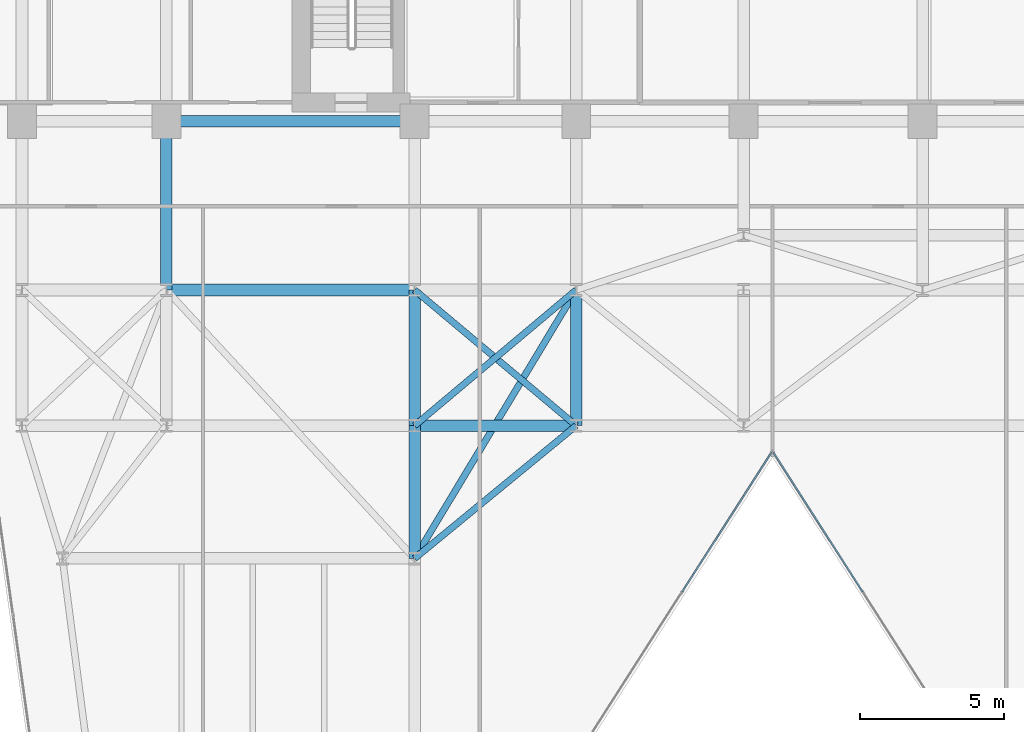
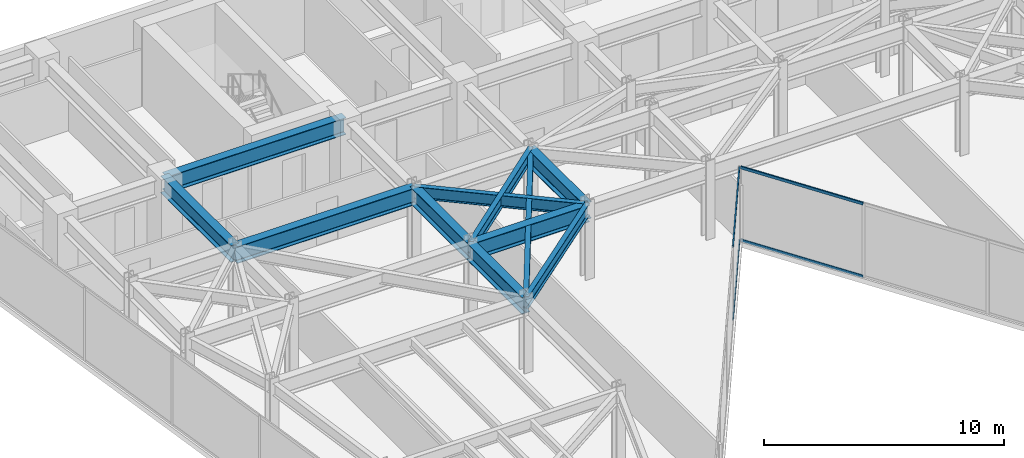
# One storey, part 12 of 26: 11 beams, 4 members, 2 elements without a shape of their own.
"""IFC4 building model written with IfcOpenShell, lengths in metres."""

from ifc_helpers import new_model, si_unit, direction, frame, origin, origin_2d, place, context, subcontext, project, spatial, hollow_rectangle, i_section, extrude, material, layer, layer_set, material_profile, profile_set, type_object, element, aggregate, save


model = new_model("IFC4")

# Units and contexts
model_context = context("Model", 3, precision=1e-05, world=origin(), true_north=direction((0.0, 1.0)))
body_context = subcontext(model_context, "Body", "Model", "MODEL_VIEW")
ifc_project = project(units=[si_unit("LENGTHUNIT", "METRE"), si_unit("AREAUNIT", "SQUARE_METRE"), si_unit("VOLUMEUNIT", "CUBIC_METRE"), si_unit("PLANEANGLEUNIT", "RADIAN"), si_unit("MASSUNIT", "GRAM", prefix="KILO")], contexts=[model_context])

# Site, building, storey
site_placement = place(None, origin())
site = spatial("IfcSite", under=ifc_project, at=site_placement, CompositionType="ELEMENT")
building_placement = place(site_placement, origin())
building = spatial("IfcBuilding", under=site, at=building_placement, Name="Kravanh Interchange Tower", CompositionType="ELEMENT")
storey_placement = place(building_placement, frame((0.0, 0.0, 128.0)))
storey = spatial("IfcBuildingStorey", under=building, at=storey_placement, Name="L30", CompositionType="ELEMENT", Elevation=128.0)

# Curtain wall, members
ifc_material_1 = material(Name="Anodised Bronze Aluminium", Category="aluminium")
ifc_layer = layer(ifc_material_1, 0.179931640625)
ifc_layer_set = layer_set([ifc_layer], Name="Unitised Curtain Wall System CW-Z2 Mid Office")
curtain_wall_type = type_object("IfcCurtainWallType", Name="Unitised Curtain Wall System CW-Z2 Mid Office", PredefinedType="NOTDEFINED", material=ifc_layer_set)
curtain_wall_1_placement = place(storey_placement, origin())
curtain_wall_1 = element("IfcCurtainWall", 1, at=curtain_wall_1_placement, inside=storey, type_object=curtain_wall_type, Name="L30 Unitised Curtain Wall CW-L30-04", PredefinedType="NOTDEFINED")
ifc_material_2 = material(Name="Anodised Bronze Aluminium", Category="aluminium")
ifc_material_profile_1 = material_profile(ifc_material_2, hollow_rectangle(XDim=0.06005859375, YDim=0.139892578125, WallThickness=0.00390625, at=origin_2d()), Name="ALU60X140X4")
ifc_profile_set_1 = profile_set([ifc_material_profile_1], Name="Anodised Bronze Aluminium")
member_type = type_object("IfcMemberType", Name="Curtain Wall Transom ALU60X140X4 Bronze", PredefinedType="USERDEFINED", material=ifc_profile_set_1)
member_1_placement = place(storey_placement, frame((42.72509765625, 21.047119140625, 0.030029296875), z_axis=(-0.53966766312, 0.841878146398, 0.0), x_axis=(-0.841878146398, -0.53966766312, 0.0)))
member_1 = element("IfcMember", 2, at=member_1_placement, type_object=member_type, Name="CW-Z2 transom 4.1", ObjectType="TRANSOM", PredefinedType="USERDEFINED", context=body_context, shape_type="SweptSolid", body=[
    extrude(hollow_rectangle(XDim=0.06005859375, YDim=0.139892578125, WallThickness=0.00390625, at=origin_2d()), origin(), (0.0, 0.0, 1.0), 5.73095703125),
])
member_2_placement = place(storey_placement, frame((42.72509765625, 21.047119140625, 3.719970703125), z_axis=(-0.53966766312, 0.841878146398, 0.0), x_axis=(-0.841878146398, -0.53966766312, 0.0)))
member_2 = element("IfcMember", 3, at=member_2_placement, type_object=member_type, Name="CW-Z2 transom 4.2", ObjectType="TRANSOM", PredefinedType="USERDEFINED", context=body_context, shape_type="SweptSolid", body=[
    extrude(hollow_rectangle(XDim=0.06005859375, YDim=0.139892578125, WallThickness=0.00390625, at=origin_2d()), origin(), (0.0, 0.0, 1.0), 5.73095703125),
])
aggregate(curtain_wall_1, [member_1, member_2])

curtain_wall_2_placement = place(storey_placement, origin())
curtain_wall_2 = element("IfcCurtainWall", 4, at=curtain_wall_2_placement, inside=storey, type_object=curtain_wall_type, Name="L30 Unitised Curtain Wall CW-L30-05", PredefinedType="NOTDEFINED")
member_3_placement = place(storey_placement, frame((39.567626953125, 25.871826171875, 0.030029296875), z_axis=(-0.53966766312, -0.841878146398, 0.0), x_axis=(0.841878146398, -0.53966766312, 0.0)))
member_3 = element("IfcMember", 5, at=member_3_placement, type_object=member_type, Name="CW-Z2 transom 1.1", ObjectType="TRANSOM", PredefinedType="USERDEFINED", context=body_context, shape_type="SweptSolid", body=[
    extrude(hollow_rectangle(XDim=0.06005859375, YDim=0.139892578125, WallThickness=0.00390625, at=origin_2d()), origin(), (0.0, 0.0, 1.0), 5.73095703125),
])
member_4_placement = place(storey_placement, frame((39.567626953125, 25.871826171875, 3.719970703125), z_axis=(-0.53966766312, -0.841878146398, 0.0), x_axis=(0.841878146398, -0.53966766312, 0.0)))
member_4 = element("IfcMember", 6, at=member_4_placement, type_object=member_type, Name="CW-Z2 transom 1.2", ObjectType="TRANSOM", PredefinedType="USERDEFINED", context=body_context, shape_type="SweptSolid", body=[
    extrude(hollow_rectangle(XDim=0.06005859375, YDim=0.139892578125, WallThickness=0.00390625, at=origin_2d()), origin(), (0.0, 0.0, 1.0), 5.73095703125),
])
aggregate(curtain_wall_2, [member_3, member_4])

# Beams
ifc_material_3 = material(Name="Structural Steel S355", Category="steel")
ifc_material_profile_2 = material_profile(ifc_material_3, i_section(OverallWidth=0.39990234375, OverallDepth=0.85595703125, WebThickness=0.018310546875, FlangeThickness=0.029296875, FilletRadius=0.02490234375, at=origin_2d()), Name="W33X201")
ifc_profile_set_2 = profile_set([ifc_material_profile_2], Name="Structural Steel S355")
beam_type_1 = type_object("IfcBeamType", Name="Floor Beam W33X201 Structural Steel S355", PredefinedType="BEAM", material=ifc_profile_set_2)
beam_1_placement = place(storey_placement, frame((27.199951171875, 37.35009765625, 3.322021484375), z_axis=(-1.0, 0.0, 0.0), x_axis=(0.0, -1.0, 0.0)))
element("IfcBeam", 7, at=beam_1_placement, inside=storey, type_object=beam_type_1, Name="L30 Primary Floor Girder 25", PredefinedType="BEAM", context=body_context, shape_type="SweptSolid", body=[
    extrude(i_section(OverallWidth=0.39990234375, OverallDepth=0.85595703125, WebThickness=0.018310546875, FlangeThickness=0.029296875, FilletRadius=0.02490234375, at=origin_2d()), origin(), (0.0, 0.0, 1.0), 8.599853515625),
])
beam_2_placement = place(storey_placement, frame((18.60009765625, 37.35009765625, 3.322021484375), z_axis=(0.0, -1.0, 0.0), x_axis=(1.0, 0.0, 0.0)))
element("IfcBeam", 8, at=beam_2_placement, inside=storey, type_object=beam_type_1, Name="L30 Primary Floor Girder 29", PredefinedType="BEAM", context=body_context, shape_type="SweptSolid", body=[
    extrude(i_section(OverallWidth=0.39990234375, OverallDepth=0.85595703125, WebThickness=0.018310546875, FlangeThickness=0.029296875, FilletRadius=0.02490234375, at=origin_2d()), origin(), (0.0, 0.0, 1.0), 5.85009765625),
])
beam_3_placement = place(storey_placement, frame((27.199951171875, 26.800048828125, 3.322021484375), z_axis=(0.0, -1.0, 0.0), x_axis=(1.0, 0.0, 0.0)))
element("IfcBeam", 9, at=beam_3_placement, inside=storey, type_object=beam_type_1, Name="L30 Primary Floor Girder 45", PredefinedType="BEAM", context=body_context, shape_type="SweptSolid", body=[
    extrude(i_section(OverallWidth=0.39990234375, OverallDepth=0.85595703125, WebThickness=0.018310546875, FlangeThickness=0.029296875, FilletRadius=0.02490234375, at=origin_2d()), origin(), (0.0, 0.0, 1.0), 4.60009765625),
])
beam_4_placement = place(storey_placement, frame((27.199951171875, 26.800048828125, 3.322021484375), z_axis=(0.0, 1.0, 0.0), x_axis=(-1.0, 0.0, 0.0)))
element("IfcBeam", 10, at=beam_4_placement, inside=storey, type_object=beam_type_1, Name="L30 Primary Floor Girder 46", PredefinedType="BEAM", context=body_context, shape_type="SweptSolid", body=[
    extrude(i_section(OverallWidth=0.39990234375, OverallDepth=0.85595703125, WebThickness=0.018310546875, FlangeThickness=0.029296875, FilletRadius=0.02490234375, at=origin_2d()), origin(), (0.0, 0.0, 1.0), 4.699951171875),
])
beam_5_placement = place(storey_placement, frame((27.199951171875, 26.800048828125, 3.322021484375), z_axis=(1.0, 0.0, 0.0), x_axis=(0.0, 1.0, 0.0)))
element("IfcBeam", 11, at=beam_5_placement, inside=storey, type_object=beam_type_1, Name="L30 Primary Floor Girder 47", PredefinedType="BEAM", context=body_context, shape_type="SweptSolid", body=[
    extrude(i_section(OverallWidth=0.39990234375, OverallDepth=0.85595703125, WebThickness=0.018310546875, FlangeThickness=0.029296875, FilletRadius=0.02490234375, at=origin_2d()), origin(), (0.0, 0.0, 1.0), 5.60009765625),
])
beam_6_placement = place(storey_placement, frame((32.800048828125, 26.800048828125, 3.322021484375), z_axis=(0.0, 1.0, 0.0), x_axis=(-1.0, 0.0, 0.0)))
element("IfcBeam", 12, at=beam_6_placement, inside=storey, type_object=beam_type_1, Name="L30 Primary Floor Girder 49", PredefinedType="BEAM", context=body_context, shape_type="SweptSolid", body=[
    extrude(i_section(OverallWidth=0.39990234375, OverallDepth=0.85595703125, WebThickness=0.018310546875, FlangeThickness=0.029296875, FilletRadius=0.02490234375, at=origin_2d()), origin(), (0.0, 0.0, 1.0), 4.699951171875),
])
beam_7_placement = place(storey_placement, frame((18.60009765625, 31.5, 3.322021484375), z_axis=(1.0, 0.0, 0.0), x_axis=(0.0, 1.0, 0.0)))
element("IfcBeam", 13, at=beam_7_placement, inside=storey, type_object=beam_type_1, Name="L30 Primary Floor Girder 71", PredefinedType="BEAM", context=body_context, shape_type="SweptSolid", body=[
    extrude(i_section(OverallWidth=0.39990234375, OverallDepth=0.85595703125, WebThickness=0.018310546875, FlangeThickness=0.029296875, FilletRadius=0.02490234375, at=origin_2d()), origin(), (0.0, 0.0, 1.0), 8.599853515625),
])
ifc_material_4 = material(Name="Structural Steel S355", Category="steel")
ifc_material_profile_3 = material_profile(ifc_material_4, i_section(OverallWidth=0.22802734375, OverallDepth=0.60791015625, WebThickness=0.01123046875, FlangeThickness=0.017333984375, FilletRadius=0.02197265625, at=origin_2d()), Name="W24X76")
ifc_profile_set_3 = profile_set([ifc_material_profile_3], Name="Structural Steel S355")
beam_type_2 = type_object("IfcBeamType", Name="Floor Spandrel W24X76 Structural Steel S355", PredefinedType="SPANDREL", material=ifc_profile_set_3)
beam_8_placement = place(storey_placement, frame((27.199951171875, 26.800048828125, 3.446044921875), z_axis=(0.765983062929, 0.642860752657, 0.0), x_axis=(-0.642860752657, 0.765983062929, 0.0)))
element("IfcBeam", 14, at=beam_8_placement, inside=storey, type_object=beam_type_2, Name="L30 Perimeter Spandrel 48", PredefinedType="SPANDREL", context=body_context, shape_type="SweptSolid", body=[
    extrude(i_section(OverallWidth=0.22802734375, OverallDepth=0.60791015625, WebThickness=0.01123046875, FlangeThickness=0.017333984375, FilletRadius=0.02197265625, at=origin_2d()), origin(), (0.0, 0.0, 1.0), 7.31103515625),
])
beam_9_placement = place(storey_placement, frame((32.800048828125, 26.800048828125, 3.446044921875), z_axis=(-0.772725074305, -0.634740860147, 0.0), x_axis=(0.634740860147, -0.772725074305, 0.0)))
element("IfcBeam", 15, at=beam_9_placement, inside=storey, type_object=beam_type_2, Name="L30 Perimeter Spandrel 51", PredefinedType="SPANDREL", context=body_context, shape_type="SweptSolid", body=[
    extrude(i_section(OverallWidth=0.22802734375, OverallDepth=0.60791015625, WebThickness=0.01123046875, FlangeThickness=0.017333984375, FilletRadius=0.02197265625, at=origin_2d()), origin(), (0.0, 0.0, 1.0), 7.247314453125),
])
beam_10_placement = place(storey_placement, frame((32.800048828125, 26.800048828125, 3.446044921875), z_axis=(-0.765983062929, 0.642860752657, 0.0), x_axis=(-0.642860752657, -0.765983062929, 0.0)))
element("IfcBeam", 16, at=beam_10_placement, inside=storey, type_object=beam_type_2, Name="L30 Perimeter Spandrel 52", PredefinedType="SPANDREL", context=body_context, shape_type="SweptSolid", body=[
    extrude(i_section(OverallWidth=0.22802734375, OverallDepth=0.60791015625, WebThickness=0.01123046875, FlangeThickness=0.017333984375, FilletRadius=0.02197265625, at=origin_2d()), origin(), (0.0, 0.0, 1.0), 7.31103515625),
])
beam_11_placement = place(storey_placement, frame((32.800048828125, 31.5, 3.446044921875), z_axis=(-0.515854375109, -0.856676288735, 0.0), x_axis=(0.856676288735, -0.515854375109, 0.0)))
element("IfcBeam", 17, at=beam_11_placement, inside=storey, type_object=beam_type_2, Name="L30 Perimeter Spandrel 80", PredefinedType="SPANDREL", context=body_context, shape_type="SweptSolid", body=[
    extrude(i_section(OverallWidth=0.22802734375, OverallDepth=0.60791015625, WebThickness=0.01123046875, FlangeThickness=0.017333984375, FilletRadius=0.02197265625, at=origin_2d()), origin(), (0.0, 0.0, 1.0), 10.85595703125),
])

save(model, "model.ifc")
